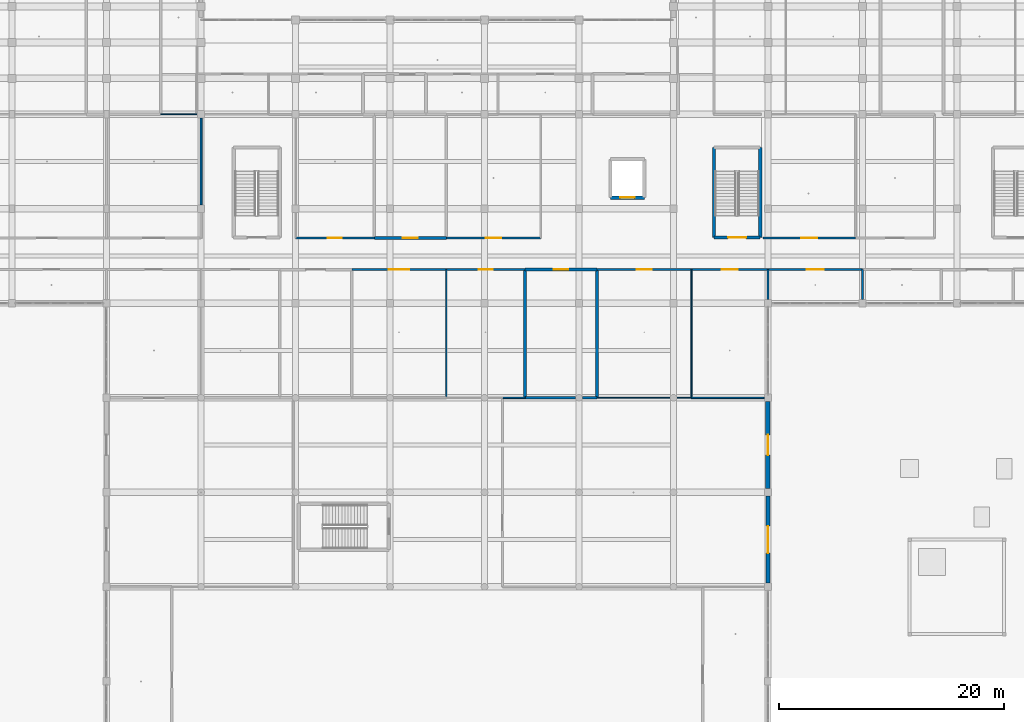
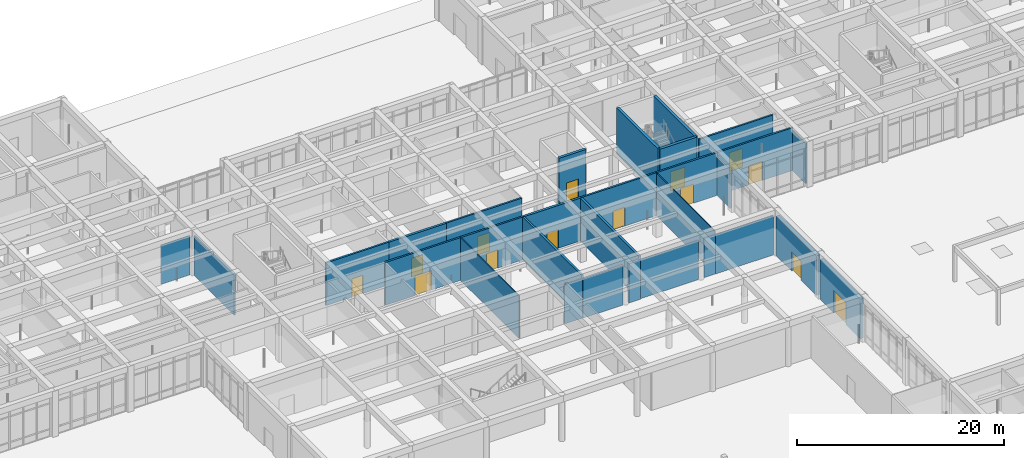
# One storey, part 70 of 167: 30 walls, 14 doors, 14 openings.
"""IFC4 building model written with IfcOpenShell, lengths in metres."""

import ifcopenshell
import ifcopenshell.guid

model = None  # the IFC model being written
_history = None  # IfcOwnerHistory: only IFC2X3 demands one
_inside = {}  # id of a spatial element -> (the spatial element, [elements in it])
_under = {}  # id of a project, library or spatial element -> (it, [spatial elements below it])
_declared = {}  # id of a project -> (the project, [libraries it declares])
_typed = {}  # id of a type object -> (the type object, [elements of that type])
_made_of = {}  # id of a material, layer set ... -> (it, [elements and type objects made of it])


def new_model(schema):
    """Start an empty IFC model of exactly this schema.

    Asked for "IFC4X3", IfcOpenShell would pick the latest addendum, in which some entities
    have other attributes; the version numbers below select the first issue.
    IFC2X3 requires an IfcOwnerHistory on every rooted entity: one is made here for all.
    """
    global model, _history
    if schema == "IFC4X3":
        model = ifcopenshell.file(schema_version=(4, 3, 0, 0))
    else:
        model = ifcopenshell.file(schema=schema)
    _inside.clear()
    _under.clear()
    _declared.clear()
    _typed.clear()
    _made_of.clear()
    _history = None
    if model.schema == "IFC2X3":
        org = make("IfcOrganization", Name="unknown")
        user = make(
            "IfcPersonAndOrganization",
            ThePerson=make("IfcPerson", FamilyName="unknown"),
            TheOrganization=org,
        )
        app = make(
            "IfcApplication",
            ApplicationDeveloper=org,
            Version="unknown",
            ApplicationFullName="unknown",
            ApplicationIdentifier="unknown",
        )
        _history = make(
            "IfcOwnerHistory",
            OwningUser=user,
            OwningApplication=app,
            ChangeAction="ADDED",
            CreationDate=0,
        )
    return model


def make(cls, **values):
    """One entity of the class cls with the attributes given. An attribute that is None is left unset."""
    return model.create_entity(
        cls, **{name: value for name, value in values.items() if value is not None}
    )


def rooted(cls, **values):
    """An entity with a GlobalId (a new one), such as an element, a storey or a relation."""
    return make(cls, GlobalId=ifcopenshell.guid.new(), OwnerHistory=_history, **values)


def si_unit(unit_type, name, prefix=None):
    """IfcSIUnit, for example si_unit("LENGTHUNIT", "METRE", prefix="MILLI")."""
    return make("IfcSIUnit", UnitType=unit_type, Prefix=prefix, Name=name)


def assignment(units):
    """IfcUnitAssignment: the units of a project."""
    return None if units is None else make("IfcUnitAssignment", Units=units)


def point(xyz):
    """IfcCartesianPoint."""
    return None if xyz is None else make("IfcCartesianPoint", Coordinates=xyz)


def direction(xyz):
    """IfcDirection."""
    return None if xyz is None else make("IfcDirection", DirectionRatios=xyz)


def frame(location, z_axis=None, x_axis=None):
    """IfcAxis2Placement3D, a coordinate frame: its origin and axes. An axis left out is left unset."""
    return make(
        "IfcAxis2Placement3D",
        Location=point(location),
        Axis=direction(z_axis),
        RefDirection=direction(x_axis),
    )


def frame_2d(location, x_axis=None):
    """IfcAxis2Placement2D, a coordinate frame in the plane: its origin and x axis."""
    return make(
        "IfcAxis2Placement2D", Location=point(location), RefDirection=direction(x_axis)
    )


def origin():
    """The frame at (0, 0, 0) with its axes left unset."""
    return frame((0.0, 0.0, 0.0))


def place(relative_to, where):
    """IfcLocalPlacement: puts the frame where relative to a parent placement (None: the world)."""
    return make(
        "IfcLocalPlacement", PlacementRelTo=relative_to, RelativePlacement=where
    )


def context(
    kind, dimensions, precision=None, world=None, true_north=None, identifier=None
):
    """IfcGeometricRepresentationContext, for example the 3D "Model" context."""
    return make(
        "IfcGeometricRepresentationContext",
        ContextIdentifier=identifier,
        ContextType=kind,
        CoordinateSpaceDimension=dimensions,
        Precision=precision,
        WorldCoordinateSystem=world,
        TrueNorth=true_north,
    )


def subcontext(parent, identifier, kind, view, scale=None):
    """IfcGeometricRepresentationSubContext, for example "Body" below "Model"."""
    return make(
        "IfcGeometricRepresentationSubContext",
        ContextIdentifier=identifier,
        ContextType=kind,
        ParentContext=parent,
        TargetScale=scale,
        TargetView=view,
    )


def project(units=None, contexts=None):
    """IfcProject with its units and contexts."""
    return rooted(
        "IfcProject",
        Name="project",
        RepresentationContexts=contexts,
        UnitsInContext=assignment(units),
    )


def spatial(cls, under=None, at=None, **own):
    """A site, building, storey or space (cls), placed at a placement, below another one or the project."""
    s = rooted(cls, ObjectPlacement=at, **own)
    if under is not None:
        _under.setdefault(under.id(), (under, []))[1].append(s)
    return s


def profile(cls, at=None, kind="AREA", **sizes):
    """A parametric profile (cls). Its sizes go by their IFC names, for example OverallWidth=200.0."""
    return make(cls, ProfileType=kind, Position=at, **sizes)


def rectangle(**sizes):
    """IfcRectangleProfileDef."""
    return profile("IfcRectangleProfileDef", **sizes)


def extrude(swept, where, along, depth):
    """IfcExtrudedAreaSolid: the profile swept, set in the frame where, extruded along a direction by depth."""
    return make(
        "IfcExtrudedAreaSolid",
        SweptArea=swept,
        Position=where,
        ExtrudedDirection=direction(along),
        Depth=depth,
    )


def shape(context_of_items, identifier, shape_type, items):
    """IfcShapeRepresentation: the items that make up one representation, for example the "Body"."""
    return make(
        "IfcShapeRepresentation",
        ContextOfItems=context_of_items,
        RepresentationIdentifier=identifier,
        RepresentationType=shape_type,
        Items=items,
    )


def material(Name=None, Category=None):
    """IfcMaterial."""
    return make("IfcMaterial", Name=Name, Category=Category)


def layer(
    of_material, thickness, ventilated=None, Name=None, Category=None, Priority=None
):
    """IfcMaterialLayer: one layer of a wall or slab, of a material (None: an air gap)."""
    return make(
        "IfcMaterialLayer",
        Material=of_material,
        LayerThickness=thickness,
        IsVentilated=ventilated,
        Name=Name,
        Category=Category,
        Priority=Priority,
    )


def layer_set(layers, Name=None):
    """IfcMaterialLayerSet."""
    return make("IfcMaterialLayerSet", MaterialLayers=layers, LayerSetName=Name)


def made_of(thing, what):
    """Note that an element or type object is made of a material, layer set ...; save() writes the relation."""
    if what is not None:
        _made_of.setdefault(what.id(), (what, []))[1].append(thing)
    return thing


def type_object(cls, material=None, **own):
    """A type object (cls), such as IfcWallType, which elements share."""
    return made_of(rooted(cls, **own), material)


def element(
    cls,
    number,
    at=None,
    inside=None,
    cuts=None,
    type_object=None,
    material=None,
    context=None,
    identifier="Body",
    shape_type=None,
    held_by="IfcProductDefinitionShape",
    body=None,
    shapes=None,
    **own,
):
    """One element of the class cls, such as IfcWall. Its Tag is "e" and its number.

    at: its placement. inside: the storey or other place that contains it. cuts: it is an
    opening in that element (IfcRelVoidsElement). A single representation is given by context,
    identifier, shape_type and body (its items); several are given by shapes. held_by: the class
    of the entity that holds the representations. save() writes the other relations.
    """
    e = rooted(cls, Tag="e%d" % number, ObjectPlacement=at, **own)
    if body is not None:
        shapes = [shape(context, identifier, shape_type, body)]
    if shapes is not None:
        e.Representation = make(held_by, Representations=shapes)
    if inside is not None:
        _inside.setdefault(inside.id(), (inside, []))[1].append(e)
    if cuts is not None:
        rooted(
            "IfcRelVoidsElement", RelatingBuildingElement=cuts, RelatedOpeningElement=e
        )
    if type_object is not None:
        _typed.setdefault(type_object.id(), (type_object, []))[1].append(e)
    return made_of(e, material)


def fill(opening, filler):
    """IfcRelFillsElement: the door or window that sits in an opening."""
    return rooted(
        "IfcRelFillsElement",
        RelatingOpeningElement=opening,
        RelatedBuildingElement=filler,
    )


def aggregate(whole, parts):
    """IfcRelAggregates: a whole, such as a stair, and the parts it consists of."""
    return rooted("IfcRelAggregates", RelatingObject=whole, RelatedObjects=parts)


def save(model, path):
    """Write the relations noted so far, then the file.

    IfcRelAggregates (storeys below a building ...), IfcRelContainedInSpatialStructure (elements
    in a storey), IfcRelDefinesByType, IfcRelAssociatesMaterial and IfcRelDeclares: one each for
    every whole, place, type object, material and project.
    """
    for whole, parts in _under.values():
        aggregate(whole, parts)
    for where, things in _inside.values():
        rooted(
            "IfcRelContainedInSpatialStructure",
            RelatedElements=things,
            RelatingStructure=where,
        )
    for kind, things in _typed.values():
        rooted("IfcRelDefinesByType", RelatedObjects=things, RelatingType=kind)
    for what, things in _made_of.values():
        rooted("IfcRelAssociatesMaterial", RelatedObjects=things, RelatingMaterial=what)
    for by, libraries in _declared.values():
        rooted("IfcRelDeclares", RelatingContext=by, RelatedDefinitions=libraries)
    model.write(path)


model = new_model("IFC4")

# Units and contexts
model_context = context("Model", 3, precision=1e-05, world=origin(), true_north=direction((0.0, 1.0)))
body_context = subcontext(model_context, "Body", "Model", "MODEL_VIEW")
ifc_project = project(units=[si_unit("LENGTHUNIT", "METRE"), si_unit("AREAUNIT", "SQUARE_METRE"), si_unit("VOLUMEUNIT", "CUBIC_METRE"), si_unit("PLANEANGLEUNIT", "RADIAN"), si_unit("MASSUNIT", "GRAM", prefix="KILO")], contexts=[model_context])

# Site, building, storey
site_placement = place(None, origin())
site = spatial("IfcSite", under=ifc_project, at=site_placement, CompositionType="ELEMENT")
building_placement = place(site_placement, origin())
building = spatial("IfcBuilding", under=site, at=building_placement, Name="Varncliffe General Hospital", CompositionType="ELEMENT")
storey_placement = place(building_placement, origin())
storey = spatial("IfcBuildingStorey", under=building, at=storey_placement, Name="L00", CompositionType="ELEMENT", Elevation=0.0)

# Wall, opening, door
ifc_material_1 = material(Name="Precast concrete C40/50 with insulated cream lime-cement stucco", Category="concrete")
ifc_layer_1 = layer(ifc_material_1, 0.3798828125)
ifc_layer_set_1 = layer_set([ifc_layer_1], Name="Precast concrete C40/50 with insulated cream lime-cement stucco")
wall_type_1 = type_object("IfcWallType", Name="Exterior Insulated Stucco Wall EW26 (380mm)", PredefinedType="SOLIDWALL", material=ifc_layer_set_1)
wall_1_placement = place(storey_placement, frame((117.60009765625, 65.677001953125, 0.0), z_axis=(0.0, 0.0, 1.0), x_axis=(0.0, -1.0, 0.0)))
wall_1 = element("IfcWall", 1, at=wall_1_placement, inside=storey, type_object=wall_type_1, Name="L00 Exterior Stucco Wall EW26-90", PredefinedType="SOLIDWALL", context=body_context, shape_type="SweptSolid", body=[
    extrude(rectangle(XDim=7.75390625, YDim=0.3798828125, at=frame_2d((3.876953125, 0.0))), origin(), (0.0, 0.0, 1.0), 4.679931640625),
])
opening_1_placement = place(wall_1_placement, frame((2.677001953125, 0.0, 0.0)))
opening_1 = element("IfcOpeningElement", 2, at=opening_1_placement, cuts=wall_1, Name="Opening DE17", PredefinedType="OPENING", context=body_context, shape_type="SweptSolid", body=[
    extrude(rectangle(XDim=2.39990234375, YDim=2.60009765625, at=frame_2d((1.199951171875, 1.300048828125))), frame((0.0, 0.199951171875, 0.0), z_axis=(0.0, -1.0, 0.0), x_axis=(1.0, 0.0, 0.0)), (0.0, 0.0, 1.0), 0.39990234375),
])
ifc_material_2 = material(Name="Thermally broken bronze-anodized aluminium and safety glass door", Category="aluminium")
door_type_1 = type_object("IfcDoorType", Name="Exterior Pedestrian Door DE17 (2400x2600)", OperationType="NOTDEFINED", PredefinedType="DOOR", material=ifc_material_2)
door_1_placement = place(opening_1_placement, origin())
door_1 = element("IfcDoor", 3, at=door_1_placement, inside=storey, type_object=door_type_1, Name="Main Pedestrian Entrance and Final Exit Door FE-36", OperationType="DOUBLE_DOOR_SINGLE_SWING", OverallHeight=2.60009765625, OverallWidth=2.39990234375, PredefinedType="DOOR", context=body_context, shape_type="SweptSolid", body=[
    extrude(rectangle(XDim=2.39990234375, YDim=2.60009765625, at=frame_2d((1.199951171875, 1.300048828125))), frame((0.0, 0.02490234375, 0.0), z_axis=(0.0, -1.0, 0.0), x_axis=(1.0, 0.0, 0.0)), (0.0, 0.0, 1.0), 0.050048828125),
])
fill(opening_1, door_1)

ifc_layer_2 = layer(ifc_material_1, 0.39990234375)
ifc_layer_set_2 = layer_set([ifc_layer_2], Name="Precast concrete C40/50 with insulated cream lime-cement stucco")
wall_type_2 = type_object("IfcWallType", Name="Exterior Insulated Stucco Wall EW47 (400mm)", PredefinedType="SOLIDWALL", material=ifc_layer_set_2)
wall_2_placement = place(storey_placement, frame((117.60009765625, 74.076904296875, 0.0), z_axis=(0.0, 0.0, 1.0), x_axis=(0.0, -1.0, 0.0)))
wall_2 = element("IfcWall", 4, at=wall_2_placement, inside=storey, type_object=wall_type_2, Name="L00 Exterior Stucco Wall EW47-89", PredefinedType="SOLIDWALL", context=body_context, shape_type="SweptSolid", body=[
    extrude(rectangle(XDim=7.75390625, YDim=0.39990234375, at=frame_2d((3.876953125, 0.0))), origin(), (0.0, 0.0, 1.0), 4.679931640625),
])
opening_2_placement = place(wall_2_placement, frame((2.97705078125, 0.0, 0.0)))
opening_2 = element("IfcOpeningElement", 5, at=opening_2_placement, cuts=wall_2, Name="Opening DE28", PredefinedType="OPENING", context=body_context, shape_type="SweptSolid", body=[
    extrude(rectangle(XDim=1.800048828125, YDim=2.25, at=frame_2d((0.89990234375, 1.125))), frame((0.0, 0.2099609375, 0.0), z_axis=(0.0, -1.0, 0.0), x_axis=(1.0, 0.0, 0.0)), (0.0, 0.0, 1.0), 0.419921875),
])
door_type_2 = type_object("IfcDoorType", Name="Exterior Pedestrian Door DE28 (1800x2250)", OperationType="NOTDEFINED", PredefinedType="DOOR", material=ifc_material_2)
door_2_placement = place(opening_2_placement, origin())
door_2 = element("IfcDoor", 6, at=door_2_placement, inside=storey, type_object=door_type_2, Name="Main Pedestrian Entrance and Final Exit Door FE-35", OperationType="DOUBLE_DOOR_SINGLE_SWING", OverallHeight=2.25, OverallWidth=1.800048828125, PredefinedType="DOOR", context=body_context, shape_type="SweptSolid", body=[
    extrude(rectangle(XDim=1.800048828125, YDim=2.25, at=frame_2d((0.89990234375, 1.125))), frame((0.0, 0.02490234375, 0.0), z_axis=(0.0, -1.0, 0.0), x_axis=(1.0, 0.0, 0.0)), (0.0, 0.0, 1.0), 0.050048828125),
])
fill(opening_2, door_2)

# Walls
ifc_material_3 = material(Name="Acoustic clinical gypsum stud partition assembly", Category="gypsum")
ifc_layer_3 = layer(ifc_material_3, 0.1298828125)
ifc_layer_set_3 = layer_set([ifc_layer_3], Name="Acoustic clinical gypsum stud partition assembly")
wall_type_3 = type_object("IfcWallType", Name="Interior Partitioning IW11 (130mm)", PredefinedType="PARTITIONING", material=ifc_layer_set_3)
wall_3_placement = place(storey_placement, frame((94.0, 74.39990234375, 0.0), z_axis=(0.0, 0.0, 1.0), x_axis=(1.0, 0.0, 0.0)))
element("IfcWall", 7, at=wall_3_placement, inside=storey, type_object=wall_type_3, Name="L00 Interior Partition Wall IW11-133", PredefinedType="PARTITIONING", context=body_context, shape_type="SweptSolid", body=[
    extrude(rectangle(XDim=2.0, YDim=0.1298828125, at=frame_2d((1.0, 0.0))), origin(), (0.0, 0.0, 1.0), 4.635009765625),
])
wall_4_placement = place(storey_placement, frame((110.800048828125, 74.39990234375, 0.0), z_axis=(0.0, 0.0, 1.0), x_axis=(1.0, 0.0, 0.0)))
element("IfcWall", 8, at=wall_4_placement, inside=storey, type_object=wall_type_3, Name="L00 Interior Partition Wall IW11-138", PredefinedType="PARTITIONING", context=body_context, shape_type="SweptSolid", body=[
    extrude(rectangle(XDim=6.4599609375, YDim=0.1298828125, at=frame_2d((3.22998046875, 0.0))), origin(), (0.0, 0.0, 1.0), 4.635009765625),
])
ifc_layer_4 = layer(ifc_material_3, 0.169921875)
ifc_layer_set_4 = layer_set([ifc_layer_4], Name="Acoustic clinical gypsum stud partition assembly")
wall_type_4 = type_object("IfcWallType", Name="Interior Partitioning IW20 (170mm)", PredefinedType="PARTITIONING", material=ifc_layer_set_4)
wall_5_placement = place(storey_placement, frame((67.199951171875, 91.5400390625, 0.0), z_axis=(0.0, 0.0, 1.0), x_axis=(0.0, 1.0, 0.0)))
element("IfcWall", 9, at=wall_5_placement, inside=storey, type_object=wall_type_4, Name="L00 Interior Partition Wall IW20-330", PredefinedType="PARTITIONING", context=body_context, shape_type="SweptSolid", body=[
    extrude(rectangle(XDim=7.719970703125, YDim=0.169921875, at=frame_2d((3.85986328125, 0.0))), origin(), (0.0, 0.0, 1.0), 4.68505859375),
])
for number, where, z_axis, x_axis, name in (
    (10, (117.60009765625, 83.139892578125, 0.0), (0.0, 0.0, 1.0), (0.0, 1.0, 0.0), "L00 Interior Partition Wall IW20-360"),
    (11, (126.0, 83.139892578125, 0.0), (0.0, 0.0, 1.0), (0.0, 1.0, 0.0), "L00 Interior Partition Wall IW20-365"),
):
    element("IfcWall", number, at=place(storey_placement, frame(where, z_axis=z_axis, x_axis=x_axis)), inside=storey, type_object=wall_type_4, Name=name, PredefinedType="PARTITIONING", context=body_context, shape_type="SweptSolid", body=[
        extrude(rectangle(XDim=2.66015625, YDim=0.169921875, at=frame_2d((1.330078125, 0.0))), origin(), (0.0, 0.0, 1.0), 4.68505859375),
    ])
ifc_layer_5 = layer(ifc_material_3, 0.090087890625)
ifc_layer_set_5 = layer_set([ifc_layer_5], Name="Acoustic clinical gypsum stud partition assembly")
wall_type_5 = type_object("IfcWallType", Name="Interior Partitioning IW42 (90mm)", PredefinedType="PARTITIONING", material=ifc_layer_set_5)
wall_6_placement = place(storey_placement, frame((102.39990234375, 74.39990234375, 0.0), z_axis=(0.0, 0.0, 1.0), x_axis=(1.0, 0.0, 0.0)))
element("IfcWall", 12, at=wall_6_placement, inside=storey, type_object=wall_type_5, Name="L00 Interior Partition Wall IW42-136", PredefinedType="PARTITIONING", context=body_context, shape_type="SweptSolid", body=[
    extrude(rectangle(XDim=6.485107421875, YDim=0.090087890625, at=frame_2d((3.24267578125, 0.0))), origin(), (0.0, 0.0, 1.0), 4.635009765625),
])
wall_7_placement = place(storey_placement, frame((109.514892578125, 74.39990234375, 0.0), z_axis=(0.0, 0.0, 1.0), x_axis=(1.0, 0.0, 0.0)))
element("IfcWall", 13, at=wall_7_placement, inside=storey, type_object=wall_type_5, Name="L00 Interior Partition Wall IW42-137", PredefinedType="PARTITIONING", context=body_context, shape_type="SweptSolid", body=[
    extrude(rectangle(XDim=1.28515625, YDim=0.090087890625, at=frame_2d((0.642578125, 0.0))), origin(), (0.0, 0.0, 1.0), 4.635009765625),
])
wall_8_placement = place(storey_placement, frame((63.60009765625, 99.60009765625, 0.0), z_axis=(0.0, 0.0, 1.0), x_axis=(1.0, 0.0, 0.0)))
element("IfcWall", 14, at=wall_8_placement, inside=storey, type_object=wall_type_5, Name="L00 Interior Partition Wall IW42-191", PredefinedType="PARTITIONING", context=body_context, shape_type="SweptSolid", body=[
    extrude(rectangle(XDim=3.199951171875, YDim=0.090087890625, at=frame_2d((1.60009765625, 0.0))), origin(), (0.0, 0.0, 1.0), 4.635009765625),
])
wall_9_placement = place(storey_placement, frame((110.800048828125, 74.39990234375, 0.0), z_axis=(0.0, 0.0, 1.0), x_axis=(0.0, 1.0, 0.0)))
element("IfcWall", 15, at=wall_9_placement, inside=storey, type_object=wall_type_5, Name="L00 Interior Partition Wall IW42-351", PredefinedType="PARTITIONING", context=body_context, shape_type="SweptSolid", body=[
    extrude(rectangle(XDim=11.400146484375, YDim=0.090087890625, at=frame_2d((5.7001953125, 0.0))), origin(), (0.0, 0.0, 1.0), 5.0400390625),
])
ifc_layer_6 = layer(ifc_material_3, 0.110107421875)
ifc_layer_set_6 = layer_set([ifc_layer_6], Name="Acoustic clinical gypsum stud partition assembly")
wall_type_6 = type_object("IfcWallType", Name="Interior Partitioning IW65 (110mm)", PredefinedType="PARTITIONING", material=ifc_layer_set_6)
wall_10_placement = place(storey_placement, frame((89.0, 74.39990234375, 0.0), z_axis=(0.0, 0.0, 1.0), x_axis=(0.0, 1.0, 0.0)))
element("IfcWall", 16, at=wall_10_placement, inside=storey, type_object=wall_type_6, Name="L00 Interior Partition Wall IW65-342", PredefinedType="PARTITIONING", context=body_context, shape_type="SweptSolid", body=[
    extrude(rectangle(XDim=11.400146484375, YDim=0.110107421875, at=frame_2d((5.7001953125, 0.0))), origin(), (0.0, 0.0, 1.0), 5.0400390625),
])

# Wall, opening, door
ifc_material_4 = material(Name="Fire-rated gypsum and mineral-wool partition assembly", Category="gypsum")
ifc_layer_7 = layer(ifc_material_4, 0.25)
ifc_layer_set_7 = layer_set([ifc_layer_7], Name="Fire-rated gypsum and mineral-wool partition assembly")
wall_type_7 = type_object("IfcWallType", Name="Interior Partitioning PW38 (250mm)", PredefinedType="PARTITIONING", material=ifc_layer_set_7)
wall_11_placement = place(storey_placement, frame((96.0, 85.800048828125, 0.0), z_axis=(0.0, 0.0, 1.0), x_axis=(1.0, 0.0, 0.0)))
wall_11 = element("IfcWall", 17, at=wall_11_placement, inside=storey, type_object=wall_type_7, Name="L00 Interior Partition Wall PW38-155", PredefinedType="PARTITIONING", context=body_context, shape_type="SweptSolid", body=[
    extrude(rectangle(XDim=6.39990234375, YDim=0.25, at=frame_2d((3.199951171875, 0.0))), origin(), (0.0, 0.0, 1.0), 5.0400390625),
])
opening_3_placement = place(wall_11_placement, frame((2.550048828125, 0.0, 0.0)))
opening_3 = element("IfcOpeningElement", 18, at=opening_3_placement, cuts=wall_11, Name="Opening DC88", PredefinedType="OPENING", context=body_context, shape_type="SweptSolid", body=[
    extrude(rectangle(XDim=1.300048828125, YDim=2.199951171875, at=frame_2d((0.64990234375, 1.10009765625))), frame((0.0, 0.135009765625, 0.0), z_axis=(0.0, -1.0, 0.0), x_axis=(1.0, 0.0, 0.0)), (0.0, 0.0, 1.0), 0.27001953125),
])
ifc_material_5 = material(Name="Fire-rated hospital steel-frame vision-panel door", Category="steel")
door_type_3 = type_object("IfcDoorType", Name="Interior Hospital Door DC88 (1300x2200)", OperationType="NOTDEFINED", PredefinedType="DOOR", material=ifc_material_5)
door_3_placement = place(opening_3_placement, frame((1.300048828125, 0.0, 0.0), z_axis=(0.0, 0.0, 1.0), x_axis=(-1.0, 0.0, 0.0)))
door_3 = element("IfcDoor", 19, at=door_3_placement, inside=storey, type_object=door_type_3, Name="L00 Surgical Clean Supply Store 73 Door", OperationType="SINGLE_SWING_RIGHT", OverallHeight=2.199951171875, OverallWidth=1.300048828125, PredefinedType="DOOR", context=body_context, shape_type="SweptSolid", body=[
    extrude(rectangle(XDim=1.300048828125, YDim=2.199951171875, at=frame_2d((0.64990234375, 1.10009765625))), frame((0.0, 0.02490234375, 0.0), z_axis=(0.0, -1.0, 0.0), x_axis=(1.0, 0.0, 0.0)), (0.0, 0.0, 1.0), 0.050048828125),
])
fill(opening_3, door_3)

wall_12_placement = place(storey_placement, frame((82.60009765625, 88.60009765625, 0.0), z_axis=(0.0, 0.0, 1.0), x_axis=(1.0, 0.0, 0.0)))
wall_12 = element("IfcWall", 20, at=wall_12_placement, inside=storey, type_object=wall_type_7, Name="L00 Interior Partition Wall PW38-169", PredefinedType="PARTITIONING", context=body_context, shape_type="SweptSolid", body=[
    extrude(rectangle(XDim=6.39990234375, YDim=0.25, at=frame_2d((3.199951171875, 0.0))), origin(), (0.0, 0.0, 1.0), 5.0400390625),
])
opening_4_placement = place(wall_12_placement, frame((2.550048828125, 0.0, 0.0)))
opening_4 = element("IfcOpeningElement", 21, at=opening_4_placement, cuts=wall_12, Name="Opening DC88", PredefinedType="OPENING", context=body_context, shape_type="SweptSolid", body=[
    extrude(rectangle(XDim=1.300048828125, YDim=2.199951171875, at=frame_2d((0.64990234375, 1.10009765625))), frame((0.0, 0.135009765625, 0.0), z_axis=(0.0, -1.0, 0.0), x_axis=(1.0, 0.0, 0.0)), (0.0, 0.0, 1.0), 0.27001953125),
])
door_4_placement = place(opening_4_placement, origin())
door_4 = element("IfcDoor", 22, at=door_4_placement, inside=storey, type_object=door_type_3, Name="L00 Surgical Clean Supply Store 83 Door", OperationType="SINGLE_SWING_RIGHT", OverallHeight=2.199951171875, OverallWidth=1.300048828125, PredefinedType="DOOR", context=body_context, shape_type="SweptSolid", body=[
    extrude(rectangle(XDim=1.300048828125, YDim=2.199951171875, at=frame_2d((0.64990234375, 1.10009765625))), frame((0.0, 0.02490234375, 0.0), z_axis=(0.0, -1.0, 0.0), x_axis=(1.0, 0.0, 0.0)), (0.0, 0.0, 1.0), 0.050048828125),
])
fill(opening_4, door_4)

# Walls
wall_13_placement = place(storey_placement, frame((102.39990234375, 74.39990234375, 0.0), z_axis=(0.0, 0.0, 1.0), x_axis=(0.0, 1.0, 0.0)))
element("IfcWall", 23, at=wall_13_placement, inside=storey, type_object=wall_type_7, Name="L00 Interior Partition Wall PW38-349", PredefinedType="PARTITIONING", context=body_context, shape_type="SweptSolid", body=[
    extrude(rectangle(XDim=11.400146484375, YDim=0.25, at=frame_2d((5.7001953125, 0.0))), origin(), (0.0, 0.0, 1.0), 5.0400390625),
])
ifc_layer_8 = layer(ifc_material_4, 0.22998046875)
ifc_layer_set_8 = layer_set([ifc_layer_8], Name="Fire-rated gypsum and mineral-wool partition assembly")
wall_type_8 = type_object("IfcWallType", Name="Interior Partitioning PW48 (230mm)", PredefinedType="PARTITIONING", material=ifc_layer_set_8)
wall_14_placement = place(storey_placement, frame((96.0, 74.39990234375, 0.0), z_axis=(0.0, 0.0, 1.0), x_axis=(1.0, 0.0, 0.0)))
element("IfcWall", 24, at=wall_14_placement, inside=storey, type_object=wall_type_8, Name="L00 Interior Partition Wall PW48-134", PredefinedType="PARTITIONING", context=body_context, shape_type="SweptSolid", body=[
    extrude(rectangle(XDim=4.485107421875, YDim=0.22998046875, at=frame_2d((2.24267578125, 0.0))), origin(), (0.0, 0.0, 1.0), 4.635009765625),
])
wall_15_placement = place(storey_placement, frame((101.114990234375, 74.39990234375, 0.0), z_axis=(0.0, 0.0, 1.0), x_axis=(1.0, 0.0, 0.0)))
element("IfcWall", 25, at=wall_15_placement, inside=storey, type_object=wall_type_8, Name="L00 Interior Partition Wall PW48-135", PredefinedType="PARTITIONING", context=body_context, shape_type="SweptSolid", body=[
    extrude(rectangle(XDim=1.284912109375, YDim=0.22998046875, at=frame_2d((0.642578125, 0.0))), origin(), (0.0, 0.0, 1.0), 4.635009765625),
])
wall_16_placement = place(storey_placement, frame((96.0, 74.39990234375, 0.0), z_axis=(0.0, 0.0, 1.0), x_axis=(0.0, 1.0, 0.0)))
element("IfcWall", 26, at=wall_16_placement, inside=storey, type_object=wall_type_8, Name="L00 Interior Partition Wall PW48-346", PredefinedType="PARTITIONING", context=body_context, shape_type="SweptSolid", body=[
    extrude(rectangle(XDim=11.400146484375, YDim=0.22998046875, at=frame_2d((5.7001953125, 0.0))), origin(), (0.0, 0.0, 1.0), 5.0400390625),
])

# Wall, opening, door
ifc_layer_9 = layer(ifc_material_4, 0.199951171875)
ifc_layer_set_9 = layer_set([ifc_layer_9], Name="Fire-rated gypsum and mineral-wool partition assembly")
wall_type_9 = type_object("IfcWallType", Name="Interior Partitioning PW63 (200mm)", PredefinedType="PARTITIONING", material=ifc_layer_set_9)
wall_17_placement = place(storey_placement, frame((80.60009765625, 85.800048828125, 0.0), z_axis=(0.0, 0.0, 1.0), x_axis=(1.0, 0.0, 0.0)))
wall_17 = element("IfcWall", 27, at=wall_17_placement, inside=storey, type_object=wall_type_9, Name="L00 Interior Partition Wall PW63-153", PredefinedType="PARTITIONING", context=body_context, shape_type="SweptSolid", body=[
    extrude(rectangle(XDim=8.39990234375, YDim=0.199951171875, at=frame_2d((4.199951171875, 0.0))), origin(), (0.0, 0.0, 1.0), 5.0400390625),
])
opening_5_placement = place(wall_17_placement, frame((3.27490234375, 0.0, 0.0)))
opening_5 = element("IfcOpeningElement", 28, at=opening_5_placement, cuts=wall_17, Name="Opening DC38", PredefinedType="OPENING", context=body_context, shape_type="SweptSolid", body=[
    extrude(rectangle(XDim=1.85009765625, YDim=2.300048828125, at=frame_2d((0.925048828125, 1.14990234375))), frame((0.0, 0.10986328125, 0.0), z_axis=(0.0, -1.0, 0.0), x_axis=(1.0, 0.0, 0.0)), (0.0, 0.0, 1.0), 0.219970703125),
])
door_type_4 = type_object("IfcDoorType", Name="Interior Hospital Door DC38 (1850x2300)", OperationType="NOTDEFINED", PredefinedType="DOOR", material=ifc_material_5)
door_5_placement = place(opening_5_placement, frame((1.85009765625, 0.0, 0.0), z_axis=(0.0, 0.0, 1.0), x_axis=(-1.0, 0.0, 0.0)))
door_5 = element("IfcDoor", 29, at=door_5_placement, inside=storey, type_object=door_type_4, Name="L00 Diagnostic Fluoroscopy and X-Ray Suite 71 Door", OperationType="SINGLE_SWING_RIGHT", OverallHeight=2.300048828125, OverallWidth=1.85009765625, PredefinedType="DOOR", context=body_context, shape_type="SweptSolid", body=[
    extrude(rectangle(XDim=1.85009765625, YDim=2.300048828125, at=frame_2d((0.925048828125, 1.14990234375))), frame((0.0, 0.02490234375, 0.0), z_axis=(0.0, -1.0, 0.0), x_axis=(1.0, 0.0, 0.0)), (0.0, 0.0, 1.0), 0.050048828125),
])
fill(opening_5, door_5)

wall_18_placement = place(storey_placement, frame((89.0, 85.800048828125, 0.0), z_axis=(0.0, 0.0, 1.0), x_axis=(1.0, 0.0, 0.0)))
wall_18 = element("IfcWall", 30, at=wall_18_placement, inside=storey, type_object=wall_type_9, Name="L00 Interior Partition Wall PW63-154", PredefinedType="PARTITIONING", context=body_context, shape_type="SweptSolid", body=[
    extrude(rectangle(XDim=7.0, YDim=0.199951171875, at=frame_2d((3.5, 0.0))), origin(), (0.0, 0.0, 1.0), 5.0400390625),
])
opening_6_placement = place(wall_18_placement, frame((2.875, 0.0, 0.0)))
opening_6 = element("IfcOpeningElement", 31, at=opening_6_placement, cuts=wall_18, Name="Opening DC44", PredefinedType="OPENING", context=body_context, shape_type="SweptSolid", body=[
    extrude(rectangle(XDim=1.25, YDim=2.14990234375, at=frame_2d((0.625, 1.074951171875))), frame((0.0, 0.10986328125, 0.0), z_axis=(0.0, -1.0, 0.0), x_axis=(1.0, 0.0, 0.0)), (0.0, 0.0, 1.0), 0.219970703125),
])
door_type_5 = type_object("IfcDoorType", Name="Interior Hospital Door DC44 (1250x2150)", OperationType="NOTDEFINED", PredefinedType="DOOR", material=ifc_material_5)
door_6_placement = place(opening_6_placement, frame((1.25, 0.0, 0.0), z_axis=(0.0, 0.0, 1.0), x_axis=(-1.0, 0.0, 0.0)))
door_6 = element("IfcDoor", 32, at=door_6_placement, inside=storey, type_object=door_type_5, Name="L00 Sterile Dispatch and Surgical Prep Room 72 Door", OperationType="SINGLE_SWING_LEFT", OverallHeight=2.14990234375, OverallWidth=1.25, PredefinedType="DOOR", context=body_context, shape_type="SweptSolid", body=[
    extrude(rectangle(XDim=1.25, YDim=2.14990234375, at=frame_2d((0.625, 1.074951171875))), frame((0.0, 0.02490234375, 0.0), z_axis=(0.0, -1.0, 0.0), x_axis=(1.0, 0.0, 0.0)), (0.0, 0.0, 1.0), 0.050048828125),
])
fill(opening_6, door_6)

wall_19_placement = place(storey_placement, frame((102.39990234375, 85.800048828125, 0.0), z_axis=(0.0, 0.0, 1.0), x_axis=(1.0, 0.0, 0.0)))
wall_19 = element("IfcWall", 33, at=wall_19_placement, inside=storey, type_object=wall_type_9, Name="L00 Interior Partition Wall PW63-156", PredefinedType="PARTITIONING", context=body_context, shape_type="SweptSolid", body=[
    extrude(rectangle(XDim=8.400146484375, YDim=0.199951171875, at=frame_2d((4.2001953125, 0.0))), origin(), (0.0, 0.0, 1.0), 5.0400390625),
])
opening_7_placement = place(wall_19_placement, frame((3.52490234375, 0.0, 0.0)))
opening_7 = element("IfcOpeningElement", 34, at=opening_7_placement, cuts=wall_19, Name="Opening DC85", PredefinedType="OPENING", context=body_context, shape_type="SweptSolid", body=[
    extrude(rectangle(XDim=1.35009765625, YDim=2.199951171875, at=frame_2d((0.675048828125, 1.10009765625))), frame((0.0, 0.10986328125, 0.0), z_axis=(0.0, -1.0, 0.0), x_axis=(1.0, 0.0, 0.0)), (0.0, 0.0, 1.0), 0.219970703125),
])
door_type_6 = type_object("IfcDoorType", Name="Interior Hospital Door DC85 (1350x2200)", OperationType="NOTDEFINED", PredefinedType="DOOR", material=ifc_material_5)
door_7_placement = place(opening_7_placement, frame((1.35009765625, 0.0, 0.0), z_axis=(0.0, 0.0, 1.0), x_axis=(-1.0, 0.0, 0.0)))
door_7 = element("IfcDoor", 35, at=door_7_placement, inside=storey, type_object=door_type_6, Name="L00 Diagnostic Fluoroscopy and X-Ray Suite 74 Door", OperationType="SINGLE_SWING_LEFT", OverallHeight=2.199951171875, OverallWidth=1.35009765625, PredefinedType="DOOR", context=body_context, shape_type="SweptSolid", body=[
    extrude(rectangle(XDim=1.35009765625, YDim=2.199951171875, at=frame_2d((0.675048828125, 1.10009765625))), frame((0.0, 0.02490234375, 0.0), z_axis=(0.0, -1.0, 0.0), x_axis=(1.0, 0.0, 0.0)), (0.0, 0.0, 1.0), 0.050048828125),
])
fill(opening_7, door_7)

wall_20_placement = place(storey_placement, frame((110.800048828125, 85.800048828125, 0.0), z_axis=(0.0, 0.0, 1.0), x_axis=(1.0, 0.0, 0.0)))
wall_20 = element("IfcWall", 36, at=wall_20_placement, inside=storey, type_object=wall_type_9, Name="L00 Interior Partition Wall PW63-157", PredefinedType="PARTITIONING", context=body_context, shape_type="SweptSolid", body=[
    extrude(rectangle(XDim=6.800048828125, YDim=0.199951171875, at=frame_2d((3.39990234375, 0.0))), origin(), (0.0, 0.0, 1.0), 5.0400390625),
])
opening_8_placement = place(wall_20_placement, frame((2.675048828125, 0.0, 0.0)))
opening_8 = element("IfcOpeningElement", 37, at=opening_8_placement, cuts=wall_20, Name="Opening DC66", PredefinedType="OPENING", context=body_context, shape_type="SweptSolid", body=[
    extrude(rectangle(XDim=1.449951171875, YDim=2.25, at=frame_2d((0.72509765625, 1.125))), frame((0.0, 0.10986328125, 0.0), z_axis=(0.0, -1.0, 0.0), x_axis=(1.0, 0.0, 0.0)), (0.0, 0.0, 1.0), 0.219970703125),
])
door_type_7 = type_object("IfcDoorType", Name="Interior Hospital Door DC66 (1450x2250)", OperationType="NOTDEFINED", PredefinedType="DOOR", material=ifc_material_5)
door_8_placement = place(opening_8_placement, frame((1.449951171875, 0.0, 0.0), z_axis=(0.0, 0.0, 1.0), x_axis=(-1.0, 0.0, 0.0)))
door_8 = element("IfcDoor", 38, at=door_8_placement, inside=storey, type_object=door_type_7, Name="L00 Sterile Dispatch and Surgical Prep Room 75 Door", OperationType="SINGLE_SWING_RIGHT", OverallHeight=2.25, OverallWidth=1.449951171875, PredefinedType="DOOR", context=body_context, shape_type="SweptSolid", body=[
    extrude(rectangle(XDim=1.449951171875, YDim=2.25, at=frame_2d((0.72509765625, 1.125))), frame((0.0, 0.02490234375, 0.0), z_axis=(0.0, -1.0, 0.0), x_axis=(1.0, 0.0, 0.0)), (0.0, 0.0, 1.0), 0.050048828125),
])
fill(opening_8, door_8)

wall_21_placement = place(storey_placement, frame((117.60009765625, 85.800048828125, 0.0), z_axis=(0.0, 0.0, 1.0), x_axis=(1.0, 0.0, 0.0)))
wall_21 = element("IfcWall", 39, at=wall_21_placement, inside=storey, type_object=wall_type_9, Name="L00 Interior Partition Wall PW63-158", PredefinedType="PARTITIONING", context=body_context, shape_type="SweptSolid", body=[
    extrude(rectangle(XDim=8.39990234375, YDim=0.199951171875, at=frame_2d((4.199951171875, 0.0))), origin(), (0.0, 0.0, 1.0), 5.0400390625),
])
opening_9_placement = place(wall_21_placement, frame((3.425048828125, 0.0, 0.0)))
opening_9 = element("IfcOpeningElement", 40, at=opening_9_placement, cuts=wall_21, Name="Opening DC67", PredefinedType="OPENING", context=body_context, shape_type="SweptSolid", body=[
    extrude(rectangle(XDim=1.550048828125, YDim=2.25, at=frame_2d((0.77490234375, 1.125))), frame((0.0, 0.10986328125, 0.0), z_axis=(0.0, -1.0, 0.0), x_axis=(1.0, 0.0, 0.0)), (0.0, 0.0, 1.0), 0.219970703125),
])
door_type_8 = type_object("IfcDoorType", Name="Interior Hospital Door DC67 (1550x2250)", OperationType="NOTDEFINED", PredefinedType="DOOR", material=ifc_material_5)
door_9_placement = place(opening_9_placement, frame((1.550048828125, 0.0, 0.0), z_axis=(0.0, 0.0, 1.0), x_axis=(-1.0, 0.0, 0.0)))
door_9 = element("IfcDoor", 41, at=door_9_placement, inside=storey, type_object=door_type_8, Name="L00 Diagnostic Fluoroscopy and X-Ray Suite 76 Door", OperationType="SINGLE_SWING_LEFT", OverallHeight=2.25, OverallWidth=1.550048828125, PredefinedType="DOOR", context=body_context, shape_type="SweptSolid", body=[
    extrude(rectangle(XDim=1.550048828125, YDim=2.25, at=frame_2d((0.77490234375, 1.125))), frame((0.0, 0.02490234375, 0.0), z_axis=(0.0, -1.0, 0.0), x_axis=(1.0, 0.0, 0.0)), (0.0, 0.0, 1.0), 0.050048828125),
])
fill(opening_9, door_9)

wall_22_placement = place(storey_placement, frame((75.60009765625, 88.60009765625, 0.0), z_axis=(0.0, 0.0, 1.0), x_axis=(1.0, 0.0, 0.0)))
wall_22 = element("IfcWall", 42, at=wall_22_placement, inside=storey, type_object=wall_type_9, Name="L00 Interior Partition Wall PW63-168", PredefinedType="PARTITIONING", context=body_context, shape_type="SweptSolid", body=[
    extrude(rectangle(XDim=7.0, YDim=0.199951171875, at=frame_2d((3.5, 0.0))), origin(), (0.0, 0.0, 1.0), 5.0400390625),
])
opening_10_placement = place(wall_22_placement, frame((2.875, 0.0, 0.0)))
opening_10 = element("IfcOpeningElement", 43, at=opening_10_placement, cuts=wall_22, Name="Opening DC44", PredefinedType="OPENING", context=body_context, shape_type="SweptSolid", body=[
    extrude(rectangle(XDim=1.25, YDim=2.14990234375, at=frame_2d((0.625, 1.074951171875))), frame((0.0, 0.10986328125, 0.0), z_axis=(0.0, -1.0, 0.0), x_axis=(1.0, 0.0, 0.0)), (0.0, 0.0, 1.0), 0.219970703125),
])
door_10_placement = place(opening_10_placement, origin())
door_10 = element("IfcDoor", 44, at=door_10_placement, inside=storey, type_object=door_type_5, Name="L00 Sterile Dispatch and Surgical Prep Room 82 Door", OperationType="SINGLE_SWING_LEFT", OverallHeight=2.14990234375, OverallWidth=1.25, PredefinedType="DOOR", context=body_context, shape_type="SweptSolid", body=[
    extrude(rectangle(XDim=1.25, YDim=2.14990234375, at=frame_2d((0.625, 1.074951171875))), frame((0.0, 0.02490234375, 0.0), z_axis=(0.0, -1.0, 0.0), x_axis=(1.0, 0.0, 0.0)), (0.0, 0.0, 1.0), 0.050048828125),
])
fill(opening_10, door_10)

wall_23_placement = place(storey_placement, frame((89.0, 88.60009765625, 0.0), z_axis=(0.0, 0.0, 1.0), x_axis=(1.0, 0.0, 0.0)))
wall_23 = element("IfcWall", 45, at=wall_23_placement, inside=storey, type_object=wall_type_9, Name="L00 Interior Partition Wall PW63-170", PredefinedType="PARTITIONING", context=body_context, shape_type="SweptSolid", body=[
    extrude(rectangle(XDim=8.39990234375, YDim=0.199951171875, at=frame_2d((4.199951171875, 0.0))), origin(), (0.0, 0.0, 1.0), 5.0400390625),
])
opening_11_placement = place(wall_23_placement, frame((3.52490234375, 0.0, 0.0)))
opening_11 = element("IfcOpeningElement", 46, at=opening_11_placement, cuts=wall_23, Name="Opening DC85", PredefinedType="OPENING", context=body_context, shape_type="SweptSolid", body=[
    extrude(rectangle(XDim=1.35009765625, YDim=2.199951171875, at=frame_2d((0.675048828125, 1.10009765625))), frame((0.0, 0.10986328125, 0.0), z_axis=(0.0, -1.0, 0.0), x_axis=(1.0, 0.0, 0.0)), (0.0, 0.0, 1.0), 0.219970703125),
])
door_11_placement = place(opening_11_placement, origin())
door_11 = element("IfcDoor", 47, at=door_11_placement, inside=storey, type_object=door_type_6, Name="L00 Diagnostic Fluoroscopy and X-Ray Suite 84 Door", OperationType="SINGLE_SWING_LEFT", OverallHeight=2.199951171875, OverallWidth=1.35009765625, PredefinedType="DOOR", context=body_context, shape_type="SweptSolid", body=[
    extrude(rectangle(XDim=1.35009765625, YDim=2.199951171875, at=frame_2d((0.675048828125, 1.10009765625))), frame((0.0, 0.02490234375, 0.0), z_axis=(0.0, -1.0, 0.0), x_axis=(1.0, 0.0, 0.0)), (0.0, 0.0, 1.0), 0.050048828125),
])
fill(opening_11, door_11)

wall_24_placement = place(storey_placement, frame((117.134521484375, 88.60009765625, 0.0), z_axis=(0.0, 0.0, 1.0), x_axis=(1.0, 0.0, 0.0)))
wall_24 = element("IfcWall", 48, at=wall_24_placement, inside=storey, type_object=wall_type_9, Name="L00 Interior Partition Wall PW63-171", PredefinedType="PARTITIONING", context=body_context, shape_type="SweptSolid", body=[
    extrude(rectangle(XDim=8.265380859375, YDim=0.199951171875, at=frame_2d((4.1328125, 0.0))), origin(), (0.0, 0.0, 1.0), 5.0400390625),
])
opening_12_placement = place(wall_24_placement, frame((3.40771484375, 0.0, 0.0)))
opening_12 = element("IfcOpeningElement", 49, at=opening_12_placement, cuts=wall_24, Name="Opening DC66", PredefinedType="OPENING", context=body_context, shape_type="SweptSolid", body=[
    extrude(rectangle(XDim=1.449951171875, YDim=2.25, at=frame_2d((0.72509765625, 1.125))), frame((0.0, 0.10986328125, 0.0), z_axis=(0.0, -1.0, 0.0), x_axis=(1.0, 0.0, 0.0)), (0.0, 0.0, 1.0), 0.219970703125),
])
door_12_placement = place(opening_12_placement, origin())
door_12 = element("IfcDoor", 50, at=door_12_placement, inside=storey, type_object=door_type_7, Name="L00 Diagnostic Fluoroscopy and X-Ray Suite 85 Door", OperationType="SINGLE_SWING_RIGHT", OverallHeight=2.25, OverallWidth=1.449951171875, PredefinedType="DOOR", context=body_context, shape_type="SweptSolid", body=[
    extrude(rectangle(XDim=1.449951171875, YDim=2.25, at=frame_2d((0.72509765625, 1.125))), frame((0.0, 0.02490234375, 0.0), z_axis=(0.0, -1.0, 0.0), x_axis=(1.0, 0.0, 0.0)), (0.0, 0.0, 1.0), 0.050048828125),
])
fill(opening_12, door_12)

# Walls
ifc_material_6 = material(Name="Concrete C40/50 (CSA A23.1 40 MPa)", Category="concrete")
ifc_layer_10 = layer(ifc_material_6, 0.300048828125)
ifc_layer_set_10 = layer_set([ifc_layer_10], Name="Concrete C40/50 (CSA A23.1 40 MPa)")
wall_type_10 = type_object("IfcWallType", Name="Reinforced Concrete Core Shear Wall CW12 (300mm)", PredefinedType="SHEAR", material=ifc_layer_set_10)
for number, where, z_axis, x_axis, name in (
    (51, (116.89990234375, 88.64990234375, 0.0), (0.0, 0.0, 1.0), (0.0, 1.0, 0.0), "L00 ST06 Core Shear Wall L"),
    (52, (112.800048828125, 96.64990234375, 0.0), (0.0, 0.0, 1.0), (0.0, -1.0, 0.0), "L00 ST06 Core Shear Wall R"),
):
    element("IfcWall", number, at=place(storey_placement, frame(where, z_axis=z_axis, x_axis=x_axis)), inside=storey, type_object=wall_type_10, Name=name, PredefinedType="SHEAR", context=body_context, shape_type="SweptSolid", body=[
        extrude(rectangle(XDim=8.0, YDim=0.300048828125, at=frame_2d((4.0, 0.0))), origin(), (0.0, 0.0, 1.0), 5.39990234375),
    ])

# Wall, opening, door
wall_25_placement = place(storey_placement, frame((112.800048828125, 88.64990234375, 0.0), z_axis=(0.0, 0.0, 1.0), x_axis=(1.0, 0.0, 0.0)))
wall_25 = element("IfcWall", 53, at=wall_25_placement, inside=storey, type_object=wall_type_10, Name="L00 ST06 Core Shear Wall N", PredefinedType="SHEAR", context=body_context, shape_type="SweptSolid", body=[
    extrude(rectangle(XDim=4.099853515625, YDim=0.300048828125, at=frame_2d((2.0498046875, 0.0))), origin(), (0.0, 0.0, 1.0), 5.39990234375),
])
opening_13_placement = place(wall_25_placement, frame((1.25, 0.0, 0.0)))
opening_13 = element("IfcOpeningElement", 54, at=opening_13_placement, cuts=wall_25, Name="Opening DF27", PredefinedType="OPENING", context=body_context, shape_type="SweptSolid", body=[
    extrude(rectangle(XDim=1.60009765625, YDim=2.25, at=frame_2d((0.800048828125, 1.125))), frame((0.0, 0.16015625, 0.0), z_axis=(0.0, -1.0, 0.0), x_axis=(1.0, 0.0, 0.0)), (0.0, 0.0, 1.0), 0.320068359375),
])
door_type_9 = type_object("IfcDoorType", Name="Interior Hospital Door DF27 (1600x2250)", OperationType="NOTDEFINED", PredefinedType="DOOR", material=ifc_material_5)
door_13_placement = place(opening_13_placement, origin())
door_13 = element("IfcDoor", 55, at=door_13_placement, inside=storey, type_object=door_type_9, Name="L00 ST06 Protected Exit Stair Door", OperationType="SINGLE_SWING_LEFT", OverallHeight=2.25, OverallWidth=1.60009765625, PredefinedType="DOOR", context=body_context, shape_type="SweptSolid", body=[
    extrude(rectangle(XDim=1.60009765625, YDim=2.25, at=frame_2d((0.800048828125, 1.125))), frame((0.0, 0.02490234375, 0.0), z_axis=(0.0, -1.0, 0.0), x_axis=(1.0, 0.0, 0.0)), (0.0, 0.0, 1.0), 0.050048828125),
])
fill(opening_13, door_13)

wall_26_placement = place(storey_placement, frame((103.60009765625, 92.199951171875, 0.0), z_axis=(0.0, 0.0, 1.0), x_axis=(1.0, 0.0, 0.0)))
wall_26 = element("IfcWall", 56, at=wall_26_placement, inside=storey, type_object=wall_type_10, Name="L00 LF07 Elevator Shaft Wall South", PredefinedType="SHEAR", context=body_context, shape_type="SweptSolid", body=[
    extrude(rectangle(XDim=3.0, YDim=0.300048828125, at=frame_2d((1.5, 0.0))), origin(), (0.0, 0.0, 1.0), 5.39990234375),
])
opening_14_placement = place(wall_26_placement, frame((0.85009765625, 0.0, 0.0)))
opening_14 = element("IfcOpeningElement", 57, at=opening_14_placement, cuts=wall_26, Name="Opening LD02", PredefinedType="OPENING", context=body_context, shape_type="SweptSolid", body=[
    extrude(rectangle(XDim=1.300048828125, YDim=2.199951171875, at=frame_2d((0.64990234375, 1.10009765625))), frame((0.0, 0.16015625, 0.0), z_axis=(0.0, -1.0, 0.0), x_axis=(1.0, 0.0, 0.0)), (0.0, 0.0, 1.0), 0.320068359375),
])
ifc_material_7 = material(Name="Brushed stainless-steel sliding elevator landing door", Category="steel")
door_type_10 = type_object("IfcDoorType", Name="Lift Landing Door LD02 (1300x2200)", OperationType="DOUBLE_DOOR_SLIDING", PredefinedType="DOOR", material=ifc_material_7)
door_14_placement = place(opening_14_placement, origin())
door_14 = element("IfcDoor", 58, at=door_14_placement, inside=storey, type_object=door_type_10, Name="Lift Landing Door LF07 L00", OperationType="DOUBLE_DOOR_SLIDING", OverallHeight=2.199951171875, OverallWidth=1.300048828125, PredefinedType="DOOR", context=body_context, shape_type="SweptSolid", body=[
    extrude(rectangle(XDim=1.300048828125, YDim=2.199951171875, at=frame_2d((0.64990234375, 1.10009765625))), frame((0.0, 0.02490234375, 0.0), z_axis=(0.0, -1.0, 0.0), x_axis=(1.0, 0.0, 0.0)), (0.0, 0.0, 1.0), 0.050048828125),
])
fill(opening_14, door_14)

save(model, "model.ifc")
